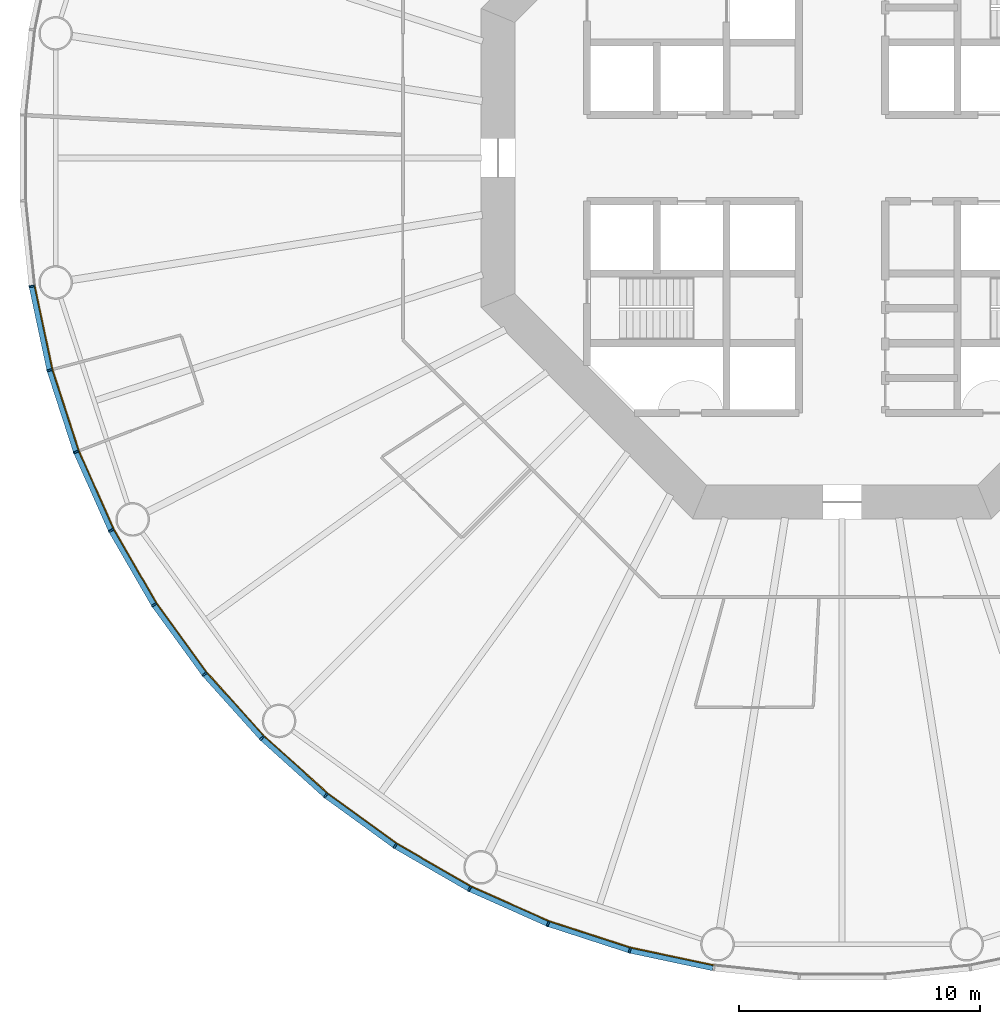
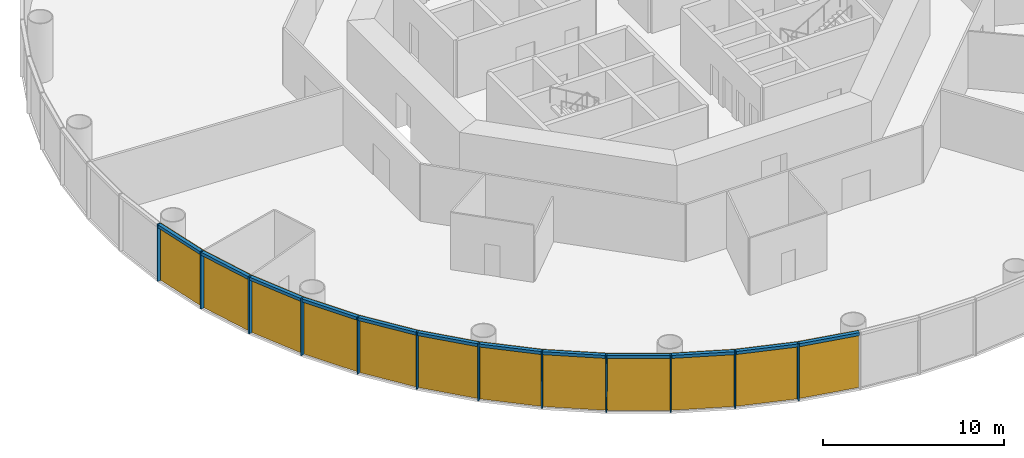
# One storey, part 7 of 13: 24 members, 4 curtain walls.
"""IFC4 building model written with IfcOpenShell, lengths in metres."""

from ifc_helpers import new_model, si_unit, direction, frame, origin, origin_2d, place, context, subcontext, project, spatial, polyline, rectangle, outline, extrude, material, layer, layer_set, material_profile, profile_set, type_object, element, aggregate, save


model = new_model("IFC4")

# Units and contexts
model_context = context("Model", 3, precision=1e-05, world=origin(), true_north=direction((0.0, 1.0)))
body_context = subcontext(model_context, "Body", "Model", "MODEL_VIEW")
ifc_project = project(units=[si_unit("LENGTHUNIT", "METRE"), si_unit("AREAUNIT", "SQUARE_METRE"), si_unit("VOLUMEUNIT", "CUBIC_METRE"), si_unit("PLANEANGLEUNIT", "RADIAN"), si_unit("MASSUNIT", "GRAM", prefix="KILO")], contexts=[model_context])

# Member
ifc_material_1 = material(Name="Anodised aluminium", Category="aluminium")
ifc_material_profile_1 = material_profile(ifc_material_1, rectangle(XDim=0.074951171875, YDim=0.219970703125, at=origin_2d()), Name="Mullion 75 x 220 mm anodised aluminium")
ifc_profile_set_1 = profile_set([ifc_material_profile_1], Name="Anodised aluminium")
member_type_1 = type_object("IfcMemberType", Name="Mullion 75 x 220 mm anodised aluminium", PredefinedType="MULLION", material=ifc_profile_set_1)
site_placement = place(None, origin())
building_placement = place(site_placement, origin())
storey_placement = place(building_placement, frame((0.0, 0.0, 42.0)))
member_1_placement = place(storey_placement, frame((56.31005859375, 74.6640625, 0.0), z_axis=(0.0, 0.0, 1.0), x_axis=(0.15643446504, -0.987688340595, 0.0)))
member_1 = element("IfcMember", 1, at=member_1_placement, type_object=member_type_1, Name="MULLION L08-30", PredefinedType="MULLION", context=body_context, shape_type="SweptSolid", body=[
    extrude(rectangle(XDim=0.074951171875, YDim=0.219970703125, at=origin_2d()), origin(), (0.0, 0.0, 1.0), 3.85009765625),
])

member_2_placement = place(storey_placement, frame((57.05224609375, 71.171630859375, 0.0), z_axis=(0.0, 0.0, 1.0), x_axis=(0.258819045103, -0.965925826289, 0.0)))
member_2 = element("IfcMember", 2, at=member_2_placement, type_object=member_type_1, Name="MULLION L08-31", PredefinedType="MULLION", context=body_context, shape_type="SweptSolid", body=[
    extrude(rectangle(XDim=0.074951171875, YDim=0.219970703125, at=origin_2d()), origin(), (0.0, 0.0, 1.0), 3.85009765625),
])

member_3_placement = place(storey_placement, frame((58.155517578125, 67.776123046875, 0.0), z_axis=(0.0, 0.0, 1.0), x_axis=(0.358367949545, -0.933580426497, 0.0)))
member_3 = element("IfcMember", 3, at=member_3_placement, type_object=member_type_1, Name="MULLION L08-32", PredefinedType="MULLION", context=body_context, shape_type="SweptSolid", body=[
    extrude(rectangle(XDim=0.074951171875, YDim=0.219970703125, at=origin_2d()), origin(), (0.0, 0.0, 1.0), 3.85009765625),
])

member_4_placement = place(storey_placement, frame((59.607666015625, 64.514404296875, 0.0), z_axis=(0.0, 0.0, 1.0), x_axis=(0.45399049974, -0.891006524188, 0.0)))
member_4 = element("IfcMember", 4, at=member_4_placement, type_object=member_type_1, Name="MULLION L08-33", PredefinedType="MULLION", context=body_context, shape_type="SweptSolid", body=[
    extrude(rectangle(XDim=0.074951171875, YDim=0.219970703125, at=origin_2d()), origin(), (0.0, 0.0, 1.0), 3.85009765625),
])

member_5_placement = place(storey_placement, frame((61.39306640625, 61.42236328125, 0.0), z_axis=(0.0, 0.0, 1.0), x_axis=(0.544639035015, -0.838670567945, 0.0)))
member_5 = element("IfcMember", 5, at=member_5_placement, type_object=member_type_1, Name="MULLION L08-34", PredefinedType="MULLION", context=body_context, shape_type="SweptSolid", body=[
    extrude(rectangle(XDim=0.074951171875, YDim=0.219970703125, at=origin_2d()), origin(), (0.0, 0.0, 1.0), 3.85009765625),
])

member_6_placement = place(storey_placement, frame((63.491455078125, 58.533935546875, 0.0), z_axis=(0.0, 0.0, 1.0), x_axis=(0.62932039105, -0.777145961457, 0.0)))
member_6 = element("IfcMember", 6, at=member_6_placement, type_object=member_type_1, Name="MULLION L08-35", PredefinedType="MULLION", context=body_context, shape_type="SweptSolid", body=[
    extrude(rectangle(XDim=0.074951171875, YDim=0.219970703125, at=origin_2d()), origin(), (0.0, 0.0, 1.0), 3.85009765625),
])

member_7_placement = place(storey_placement, frame((65.880615234375, 55.880615234375, 0.0), z_axis=(0.0, 0.0, 1.0), x_axis=(0.707106781187, -0.707106781187, 0.0)))
member_7 = element("IfcMember", 7, at=member_7_placement, type_object=member_type_1, Name="MULLION L08-36", PredefinedType="MULLION", context=body_context, shape_type="SweptSolid", body=[
    extrude(rectangle(XDim=0.074951171875, YDim=0.219970703125, at=origin_2d()), origin(), (0.0, 0.0, 1.0), 3.85009765625),
])

member_8_placement = place(storey_placement, frame((68.533935546875, 53.491455078125, 0.0), z_axis=(0.0, 0.0, 1.0), x_axis=(0.777145961457, -0.62932039105, 0.0)))
member_8 = element("IfcMember", 8, at=member_8_placement, type_object=member_type_1, Name="MULLION L08-37", PredefinedType="MULLION", context=body_context, shape_type="SweptSolid", body=[
    extrude(rectangle(XDim=0.074951171875, YDim=0.219970703125, at=origin_2d()), origin(), (0.0, 0.0, 1.0), 3.85009765625),
])

member_9_placement = place(storey_placement, frame((71.42236328125, 51.39306640625, 0.0), z_axis=(0.0, 0.0, 1.0), x_axis=(0.838670567945, -0.544639035015, 0.0)))
member_9 = element("IfcMember", 9, at=member_9_placement, type_object=member_type_1, Name="MULLION L08-38", PredefinedType="MULLION", context=body_context, shape_type="SweptSolid", body=[
    extrude(rectangle(XDim=0.074951171875, YDim=0.219970703125, at=origin_2d()), origin(), (0.0, 0.0, 1.0), 3.85009765625),
])

member_10_placement = place(storey_placement, frame((74.514404296875, 49.607666015625, 0.0), z_axis=(0.0, 0.0, 1.0), x_axis=(0.891006524188, -0.45399049974, 0.0)))
member_10 = element("IfcMember", 10, at=member_10_placement, type_object=member_type_1, Name="MULLION L08-39", PredefinedType="MULLION", context=body_context, shape_type="SweptSolid", body=[
    extrude(rectangle(XDim=0.074951171875, YDim=0.219970703125, at=origin_2d()), origin(), (0.0, 0.0, 1.0), 3.85009765625),
])

member_11_placement = place(storey_placement, frame((77.776123046875, 48.155517578125, 0.0), z_axis=(0.0, 0.0, 1.0), x_axis=(0.933580426497, -0.358367949545, 0.0)))
member_11 = element("IfcMember", 11, at=member_11_placement, type_object=member_type_1, Name="MULLION L08-40", PredefinedType="MULLION", context=body_context, shape_type="SweptSolid", body=[
    extrude(rectangle(XDim=0.074951171875, YDim=0.219970703125, at=origin_2d()), origin(), (0.0, 0.0, 1.0), 3.85009765625),
])

member_12_placement = place(storey_placement, frame((81.171630859375, 47.05224609375, 0.0), z_axis=(0.0, 0.0, 1.0), x_axis=(0.965925826289, -0.258819045103, 0.0)))
member_12 = element("IfcMember", 12, at=member_12_placement, type_object=member_type_1, Name="MULLION L08-41", PredefinedType="MULLION", context=body_context, shape_type="SweptSolid", body=[
    extrude(rectangle(XDim=0.074951171875, YDim=0.219970703125, at=origin_2d()), origin(), (0.0, 0.0, 1.0), 3.85009765625),
])

ifc_material_2 = material(Name="Anodised aluminium", Category="aluminium")
ifc_material_profile_2 = material_profile(ifc_material_2, rectangle(XDim=0.219970703125, YDim=0.199951171875, at=origin_2d()), Name="Transom 200 x 220 mm anodised aluminium")
ifc_profile_set_2 = profile_set([ifc_material_profile_2], Name="Anodised aluminium")
member_type_2 = type_object("IfcMemberType", Name="Transom 200 x 220 mm anodised aluminium", PredefinedType="USERDEFINED", material=ifc_profile_set_2)
member_13_placement = place(storey_placement, frame((56.31884765625, 74.62158203125, 3.75), z_axis=(0.207920776701, -0.978145669426, 0.0), x_axis=(0.978145669426, 0.207920776701, 0.0)))
member_13 = element("IfcMember", 13, at=member_13_placement, type_object=member_type_2, Name="TRANSOM L08-30", ObjectType="TRANSOM", PredefinedType="USERDEFINED", context=body_context, shape_type="SweptSolid", body=[
    extrude(rectangle(XDim=0.219970703125, YDim=0.199951171875, at=origin_2d()), origin(), (0.0, 0.0, 1.0), 3.48388671875),
])

member_14_placement = place(storey_placement, frame((57.0654296875, 71.130615234375, 3.75), z_axis=(0.309029029702, -0.951052605696, 0.0), x_axis=(0.951052605696, 0.309029029702, 0.0)))
member_14 = element("IfcMember", 14, at=member_14_placement, type_object=member_type_2, Name="TRANSOM L08-31", ObjectType="TRANSOM", PredefinedType="USERDEFINED", context=body_context, shape_type="SweptSolid", body=[
    extrude(rectangle(XDim=0.219970703125, YDim=0.199951171875, at=origin_2d()), origin(), (0.0, 0.0, 1.0), 3.484130859375),
])

member_15_placement = place(storey_placement, frame((58.173095703125, 67.736572265625, 3.75), z_axis=(0.406736576304, -0.913545487371, 0.0), x_axis=(0.913545487371, 0.406736576304, 0.0)))
member_15 = element("IfcMember", 15, at=member_15_placement, type_object=member_type_2, Name="TRANSOM L08-32", ObjectType="TRANSOM", PredefinedType="USERDEFINED", context=body_context, shape_type="SweptSolid", body=[
    extrude(rectangle(XDim=0.219970703125, YDim=0.199951171875, at=origin_2d()), origin(), (0.0, 0.0, 1.0), 3.48388671875),
])

member_16_placement = place(storey_placement, frame((59.629150390625, 64.476806640625, 3.75), z_axis=(0.500005538244, -0.866022206254, 0.0), x_axis=(0.866022206254, 0.500005538244, 0.0)))
member_16 = element("IfcMember", 16, at=member_16_placement, type_object=member_type_2, Name="TRANSOM L08-33", ObjectType="TRANSOM", PredefinedType="USERDEFINED", context=body_context, shape_type="SweptSolid", body=[
    extrude(rectangle(XDim=0.219970703125, YDim=0.199951171875, at=origin_2d()), origin(), (0.0, 0.0, 1.0), 3.48388671875),
])

member_17_placement = place(storey_placement, frame((61.418212890625, 61.38720703125, 3.75), z_axis=(0.587821627006, -0.80899056535, 0.0), x_axis=(0.80899056535, 0.587821627006, 0.0)))
member_17 = element("IfcMember", 17, at=member_17_placement, type_object=member_type_2, Name="TRANSOM L08-34", ObjectType="TRANSOM", PredefinedType="USERDEFINED", context=body_context, shape_type="SweptSolid", body=[
    extrude(rectangle(XDim=0.219970703125, YDim=0.199951171875, at=origin_2d()), origin(), (0.0, 0.0, 1.0), 3.48388671875),
])

member_18_placement = place(storey_placement, frame((63.520263671875, 58.501708984375, 3.75), z_axis=(0.669138930974, -0.743137329876, 0.0), x_axis=(0.743137329876, 0.669138930974, 0.0)))
member_18 = element("IfcMember", 18, at=member_18_placement, type_object=member_type_2, Name="TRANSOM L08-35", ObjectType="TRANSOM", PredefinedType="USERDEFINED", context=body_context, shape_type="SweptSolid", body=[
    extrude(rectangle(XDim=0.219970703125, YDim=0.199951171875, at=origin_2d()), origin(), (0.0, 0.0, 1.0), 3.484130859375),
])

member_19_placement = place(storey_placement, frame((65.91259765625, 55.8515625, 3.75), z_axis=(0.743137329876, -0.669138930974, 0.0), x_axis=(0.669138930974, 0.743137329876, 0.0)))
member_19 = element("IfcMember", 19, at=member_19_placement, type_object=member_type_2, Name="TRANSOM L08-36", ObjectType="TRANSOM", PredefinedType="USERDEFINED", context=body_context, shape_type="SweptSolid", body=[
    extrude(rectangle(XDim=0.219970703125, YDim=0.199951171875, at=origin_2d()), origin(), (0.0, 0.0, 1.0), 3.484130859375),
])

member_20_placement = place(storey_placement, frame((68.56884765625, 53.466064453125, 3.75), z_axis=(0.80899056535, -0.587821627006, 0.0), x_axis=(0.587821627006, 0.80899056535, 0.0)))
member_20 = element("IfcMember", 20, at=member_20_placement, type_object=member_type_2, Name="TRANSOM L08-37", ObjectType="TRANSOM", PredefinedType="USERDEFINED", context=body_context, shape_type="SweptSolid", body=[
    extrude(rectangle(XDim=0.219970703125, YDim=0.199951171875, at=origin_2d()), origin(), (0.0, 0.0, 1.0), 3.48388671875),
])

member_21_placement = place(storey_placement, frame((71.459716796875, 51.37109375, 3.75), z_axis=(0.866022206254, -0.500005538244, 0.0), x_axis=(0.500005538244, 0.866022206254, 0.0)))
member_21 = element("IfcMember", 21, at=member_21_placement, type_object=member_type_2, Name="TRANSOM L08-38", ObjectType="TRANSOM", PredefinedType="USERDEFINED", context=body_context, shape_type="SweptSolid", body=[
    extrude(rectangle(XDim=0.219970703125, YDim=0.199951171875, at=origin_2d()), origin(), (0.0, 0.0, 1.0), 3.48388671875),
])

member_22_placement = place(storey_placement, frame((74.553955078125, 49.590087890625, 3.75), z_axis=(0.913545487371, -0.406736576304, 0.0), x_axis=(0.406736576304, 0.913545487371, 0.0)))
member_22 = element("IfcMember", 22, at=member_22_placement, type_object=member_type_2, Name="TRANSOM L08-39", ObjectType="TRANSOM", PredefinedType="USERDEFINED", context=body_context, shape_type="SweptSolid", body=[
    extrude(rectangle(XDim=0.219970703125, YDim=0.199951171875, at=origin_2d()), origin(), (0.0, 0.0, 1.0), 3.48388671875),
])

member_23_placement = place(storey_placement, frame((77.817138671875, 48.14208984375, 3.75), z_axis=(0.951052605696, -0.309029029702, 0.0), x_axis=(0.309029029702, 0.951052605696, 0.0)))
member_23 = element("IfcMember", 23, at=member_23_placement, type_object=member_type_2, Name="TRANSOM L08-40", ObjectType="TRANSOM", PredefinedType="USERDEFINED", context=body_context, shape_type="SweptSolid", body=[
    extrude(rectangle(XDim=0.219970703125, YDim=0.199951171875, at=origin_2d()), origin(), (0.0, 0.0, 1.0), 3.484130859375),
])

member_24_placement = place(storey_placement, frame((81.2138671875, 47.043212890625, 3.75), z_axis=(0.978145669426, -0.207920776701, 0.0), x_axis=(0.207920776701, 0.978145669426, 0.0)))
member_24 = element("IfcMember", 24, at=member_24_placement, type_object=member_type_2, Name="TRANSOM L08-41", ObjectType="TRANSOM", PredefinedType="USERDEFINED", context=body_context, shape_type="SweptSolid", body=[
    extrude(rectangle(XDim=0.219970703125, YDim=0.199951171875, at=origin_2d()), origin(), (0.0, 0.0, 1.0), 3.48388671875),
])

# Site, building, storey
site = spatial("IfcSite", under=ifc_project, at=site_placement, CompositionType="ELEMENT")
building = spatial("IfcBuilding", under=site, at=building_placement, Name="Entoto Ring Tower", CompositionType="ELEMENT")
storey = spatial("IfcBuildingStorey", under=building, at=storey_placement, Name="L08", CompositionType="ELEMENT", Elevation=42.0)

# Curtain wall
ifc_material_3 = material(Name="Clear low-iron glass", Category="glass")
ifc_layer = layer(ifc_material_3, 0.0400390625)
ifc_layer_set = layer_set([ifc_layer], Name="Clear low-iron glass")
curtain_wall_type = type_object("IfcCurtainWallType", Name="Curtain wall system CW1 glazing 40 mm", PredefinedType="NOTDEFINED", material=ifc_layer_set)
curtain_wall_1_placement = place(storey_placement, origin())
curtain_wall_1 = element("IfcCurtainWall", 25, at=curtain_wall_1_placement, inside=storey, type_object=curtain_wall_type, Name="CW1 L08-11", PredefinedType="NOTDEFINED", context=body_context, shape_type="SweptSolid", body=[
    extrude(outline(polyline([(56.418701171875, 74.68115234375), (57.158447265625, 71.2001953125), (58.25830078125, 67.8154296875), (59.705810546875, 64.564208984375), (59.741455078125, 64.58251953125), (58.295654296875, 67.829833984375), (57.197265625, 71.21044921875), (56.458251953125, 74.6875), (56.418701171875, 74.68115234375)])), origin(), (0.0, 0.0, 1.0), 3.85009765625),
])

aggregate(curtain_wall_1, [member_1, member_2, member_3, member_13, member_14, member_15])

curtain_wall_2_placement = place(storey_placement, origin())
curtain_wall_2 = element("IfcCurtainWall", 26, at=curtain_wall_2_placement, inside=storey, type_object=curtain_wall_type, Name="CW1 L08-12", PredefinedType="NOTDEFINED", context=body_context, shape_type="SweptSolid", body=[
    extrude(outline(polyline([(59.705810546875, 64.564208984375), (61.485107421875, 61.482177734375), (63.5771484375, 58.60302734375), (65.958251953125, 55.958251953125), (65.986572265625, 55.986572265625), (63.608154296875, 58.62841796875), (61.518798828125, 61.504150390625), (59.741455078125, 64.58251953125), (59.705810546875, 64.564208984375)])), origin(), (0.0, 0.0, 1.0), 3.85009765625),
])

aggregate(curtain_wall_2, [member_4, member_5, member_6, member_16, member_17, member_18])

curtain_wall_3_placement = place(storey_placement, origin())
curtain_wall_3 = element("IfcCurtainWall", 27, at=curtain_wall_3_placement, inside=storey, type_object=curtain_wall_type, Name="CW1 L08-13", PredefinedType="NOTDEFINED", context=body_context, shape_type="SweptSolid", body=[
    extrude(outline(polyline([(65.958251953125, 55.958251953125), (68.60302734375, 53.5771484375), (71.482177734375, 51.485107421875), (74.564208984375, 49.705810546875), (74.58251953125, 49.741455078125), (71.504150390625, 51.518798828125), (68.62841796875, 53.608154296875), (65.986572265625, 55.986572265625), (65.958251953125, 55.958251953125)])), origin(), (0.0, 0.0, 1.0), 3.85009765625),
])

aggregate(curtain_wall_3, [member_7, member_8, member_9, member_19, member_20, member_21])

curtain_wall_4_placement = place(storey_placement, origin())
curtain_wall_4 = element("IfcCurtainWall", 28, at=curtain_wall_4_placement, inside=storey, type_object=curtain_wall_type, Name="CW1 L08-14", PredefinedType="NOTDEFINED", context=body_context, shape_type="SweptSolid", body=[
    extrude(outline(polyline([(74.564208984375, 49.705810546875), (77.8154296875, 48.25830078125), (81.2001953125, 47.158447265625), (84.68115234375, 46.418701171875), (84.6875, 46.458251953125), (81.21044921875, 47.197265625), (77.829833984375, 48.295654296875), (74.58251953125, 49.741455078125), (74.564208984375, 49.705810546875)])), origin(), (0.0, 0.0, 1.0), 3.85009765625),
])

aggregate(curtain_wall_4, [member_10, member_11, member_12, member_22, member_23, member_24])

save(model, "model.ifc")
